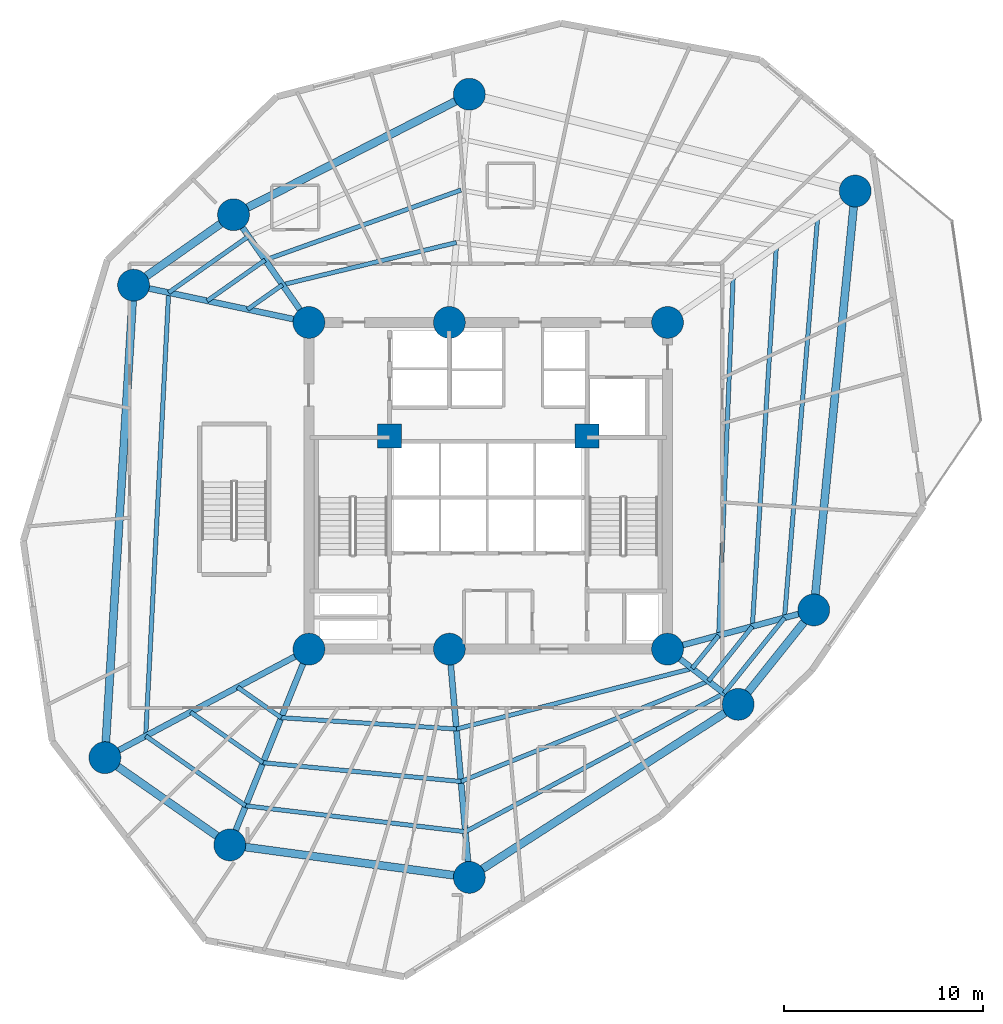
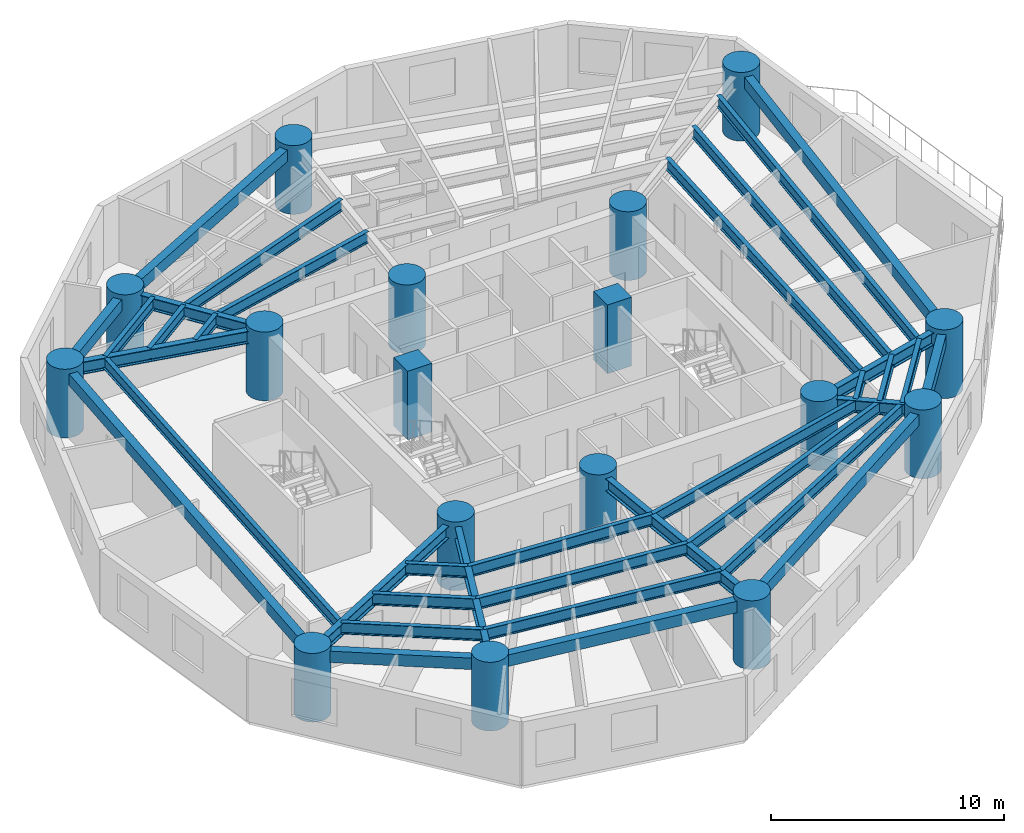
# One storey, part 1 of 9: 36 beams, 17 columns.
"""IFC4 building model written with IfcOpenShell, lengths in metres."""

from ifc_helpers import new_model, si_unit, direction, frame, origin, origin_with_axes, origin_2d, place, context, subcontext, project, spatial, rectangle, circle, i_section, extrude, source, transform, mapped, material, material_profile, profile_set, type_object, element, save


model = new_model("IFC4")

# Units and contexts
model_context = context("Model", 3, precision=1e-05, world=origin(), true_north=direction((0.0, 1.0)))
body_context = subcontext(model_context, "Body", "Model", "MODEL_VIEW")
ifc_project = project(units=[si_unit("LENGTHUNIT", "METRE"), si_unit("AREAUNIT", "SQUARE_METRE"), si_unit("VOLUMEUNIT", "CUBIC_METRE"), si_unit("PLANEANGLEUNIT", "RADIAN"), si_unit("MASSUNIT", "GRAM", prefix="KILO")], contexts=[model_context])

# Site, building, storey
site_placement = place(None, origin())
site = spatial("IfcSite", under=ifc_project, at=site_placement, CompositionType="ELEMENT")
building_placement = place(site_placement, origin())
building = spatial("IfcBuilding", under=site, at=building_placement, Name="Karkom Vertical University and Central Library", CompositionType="ELEMENT")
storey_placement = place(building_placement, frame((0.0, 0.0, 69.699951171875)))
storey = spatial("IfcBuildingStorey", under=building, at=storey_placement, Name="L18", CompositionType="ELEMENT", Elevation=69.699951171875)

# Columns
ifc_material_1 = material(Name="Concrete C50/60", Category="concrete")
ifc_material_profile_1 = material_profile(ifc_material_1, circle(Radius=0.800048828125, at=origin_2d()), Name="CFT-D1600")
ifc_profile_set_1 = profile_set([ifc_material_profile_1], Name="Concrete C50/60")
column_type_1 = type_object("IfcColumnType", Name="STR-COL-C-SC2", PredefinedType="COLUMN", material=ifc_profile_set_1)
shared_shape_1 = source(origin_with_axes(), body_context, "Body", "SweptSolid", [
    extrude(circle(Radius=0.800048828125, at=origin_2d()), origin(), (0.0, 0.0, 1.0), 3.60009765625),
])
for number, where, z_axis, x_axis, name in (
    (1, (19.5, 18.300048828125, 0.0), (0.0, 0.0, 1.0), (1.0, 0.0, 0.0), "Level 18 Spine Mega-Column SC-1"),
    (2, (26.550048828125, 18.300048828125, 0.0), (0.0, 0.0, 1.0), (1.0, 0.0, 0.0), "Level 18 Spine Mega-Column SC-2"),
    (3, (37.5, 18.300048828125, 0.0), (0.0, 0.0, 1.0), (1.0, 0.0, 0.0), "Level 18 Spine Mega-Column SC-3"),
    (4, (19.5, 34.699951171875, 0.0), (0.0, 0.0, 1.0), (1.0, 0.0, 0.0), "Level 18 Spine Mega-Column SC-4"),
    (5, (26.550048828125, 34.699951171875, 0.0), (0.0, 0.0, 1.0), (1.0, 0.0, 0.0), "Level 18 Spine Mega-Column SC-5"),
    (6, (37.5, 34.699951171875, 0.0), (0.0, 0.0, 1.0), (1.0, 0.0, 0.0), "Level 18 Spine Mega-Column SC-6"),
    (7, (44.841064453125, 20.26708984375, 0.0), (0.0, 0.0, 1.0), (1.0, 0.0, 0.0), "Level 18 Perimeter Mega-Column Z1-PC1"),
    (8, (46.919921875, 41.2958984375, 0.0), (0.0, 0.0, 1.0), (1.0, 0.0, 0.0), "Level 18 Perimeter Mega-Column Z1-PC2"),
    (9, (27.552001953125, 46.156005859375, 0.0), (0.0, 0.0, 1.0), (1.0, 0.0, 0.0), "Level 18 Perimeter Mega-Column Z1-PC3"),
    (10, (15.714111328125, 40.10595703125, 0.0), (0.0, 0.0, 1.0), (1.0, 0.0, 0.0), "Level 18 Perimeter Mega-Column Z1-PC4"),
    (11, (10.697021484375, 36.571044921875, 0.0), (0.0, 0.0, 1.0), (1.0, 0.0, 0.0), "Level 18 Perimeter Mega-Column Z1-PC5"),
    (12, (9.258056640625, 12.85400390625, 0.0), (0.0, 0.0, 1.0), (1.0, 0.0, 0.0), "Level 18 Perimeter Mega-Column Z1-PC6"),
    (13, (15.529052734375, 8.471923828125, 0.0), (0.0, 0.0, 1.0), (1.0, 0.0, 0.0), "Level 18 Perimeter Mega-Column Z1-PC7"),
    (14, (27.552001953125, 6.843994140625, 0.0), (0.0, 0.0, 1.0), (1.0, 0.0, 0.0), "Level 18 Perimeter Mega-Column Z1-PC8"),
    (15, (41.0458984375, 15.530029296875, 0.0), (0.0, 0.0, 1.0), (1.0, 0.0, 0.0), "Level 18 Perimeter Mega-Column Z1-PC9"),
):
    element("IfcColumn", number, at=place(storey_placement, frame(where, z_axis=z_axis, x_axis=x_axis)), inside=storey, type_object=column_type_1, Name=name, PredefinedType="COLUMN", context=body_context, shape_type="MappedRepresentation", body=[
        mapped(shared_shape_1, transform((0.0, 0.0, 0.0), scale=1.0)),
    ])
ifc_material_profile_2 = material_profile(ifc_material_1, rectangle(XDim=1.199951171875, YDim=1.199951171875, at=origin_2d()), Name="RC-1200x1200")
ifc_profile_set_2 = profile_set([ifc_material_profile_2], Name="Concrete C50/60")
column_type_2 = type_object("IfcColumnType", Name="STR-COL-C-CC1", PredefinedType="COLUMN", material=ifc_profile_set_2)
shared_shape_2 = source(origin_with_axes(), body_context, "Body", "SweptSolid", [
    extrude(rectangle(XDim=1.199951171875, YDim=1.199951171875, at=origin_2d()), origin(), (0.0, 0.0, 1.0), 3.60009765625),
])
for number, where, z_axis, x_axis, name in (
    (16, (23.550048828125, 29.0, 0.0), (0.0, 0.0, 1.0), (1.0, 0.0, 0.0), "Level 18 Core Node Column CC-1"),
    (17, (33.449951171875, 29.0, 0.0), (0.0, 0.0, 1.0), (1.0, 0.0, 0.0), "Level 18 Core Node Column CC-2"),
):
    element("IfcColumn", number, at=place(storey_placement, frame(where, z_axis=z_axis, x_axis=x_axis)), inside=storey, type_object=column_type_2, Name=name, PredefinedType="COLUMN", context=body_context, shape_type="MappedRepresentation", body=[
        mapped(shared_shape_2, transform((0.0, 0.0, 0.0), scale=1.0)),
    ])

# Beams
ifc_material_2 = material(Name="Steel S355", Category="steel")
ifc_material_profile_3 = material_profile(ifc_material_2, i_section(OverallWidth=0.300048828125, OverallDepth=0.64990234375, WebThickness=0.01611328125, FlangeThickness=0.031005859375, FilletRadius=0.027099609375, at=origin_2d()), Name="HE 650 B")
ifc_profile_set_3 = profile_set([ifc_material_profile_3], Name="Steel S355")
beam_type_1 = type_object("IfcBeamType", Name="STR-BM-SB-HE650", PredefinedType="USERDEFINED", material=ifc_profile_set_3)
shared_shape_3 = source(origin_with_axes(), body_context, "Body", "SweptSolid", [
    extrude(i_section(OverallWidth=0.300048828125, OverallDepth=0.64990234375, WebThickness=0.01611328125, FlangeThickness=0.031005859375, FilletRadius=0.027099609375, at=origin_2d()), origin(), (0.0, 0.0, 1.0), 7.60009765625),
])
beam_1_placement = place(storey_placement, frame((37.5, 18.300048828125, 3.025146484375), z_axis=(0.965925539322, 0.258820116077, 0.0), x_axis=(-0.258820116077, 0.965925539322, 0.0)))
element("IfcBeam", 18, at=beam_1_placement, inside=storey, type_object=beam_type_1, Name="Level 18 Radial Frame Girder 01", ObjectType="GIRDER", PredefinedType="USERDEFINED", context=body_context, shape_type="MappedRepresentation", body=[
    mapped(shared_shape_3, transform((0.0, 0.0, 0.0), scale=1.0)),
])
shared_shape_4 = source(origin_with_axes(), body_context, "Body", "SweptSolid", [
    extrude(i_section(OverallWidth=0.300048828125, OverallDepth=0.64990234375, WebThickness=0.01611328125, FlangeThickness=0.031005859375, FilletRadius=0.027099609375, at=origin_2d()), origin(), (0.0, 0.0, 1.0), 11.499755859375),
])
beam_2_placement = place(storey_placement, frame((26.550048828125, 18.300048828125, 3.025146484375), z_axis=(0.087127973109, -0.99619712723, 0.0), x_axis=(0.99619712723, 0.087127973109, 0.0)))
element("IfcBeam", 19, at=beam_2_placement, inside=storey, type_object=beam_type_1, Name="Level 18 Radial Frame Girder 08", ObjectType="GIRDER", PredefinedType="USERDEFINED", context=body_context, shape_type="MappedRepresentation", body=[
    mapped(shared_shape_4, transform((0.0, 0.0, 0.0), scale=1.0)),
])
shared_shape_5 = source(origin_with_axes(), body_context, "Body", "SweptSolid", [
    extrude(i_section(OverallWidth=0.300048828125, OverallDepth=0.64990234375, WebThickness=0.01611328125, FlangeThickness=0.031005859375, FilletRadius=0.027099609375, at=origin_2d()), origin(), (0.0, 0.0, 1.0), 6.599853515625),
])
beam_3_placement = place(storey_placement, frame((19.5, 34.699951171875, 3.025146484375), z_axis=(-0.573633636671, 0.819111989218, 0.0), x_axis=(-0.819111989218, -0.573633636671, 0.0)))
element("IfcBeam", 20, at=beam_3_placement, inside=storey, type_object=beam_type_1, Name="Level 18 Radial Frame Girder 04", ObjectType="GIRDER", PredefinedType="USERDEFINED", context=body_context, shape_type="MappedRepresentation", body=[
    mapped(shared_shape_5, transform((0.0, 0.0, 0.0), scale=1.0)),
])
shared_shape_6 = source(origin_with_axes(), body_context, "Body", "SweptSolid", [
    extrude(i_section(OverallWidth=0.300048828125, OverallDepth=0.64990234375, WebThickness=0.01611328125, FlangeThickness=0.031005859375, FilletRadius=0.027099609375, at=origin_2d()), origin(), (0.0, 0.0, 1.0), 8.999755859375),
])
beam_4_placement = place(storey_placement, frame((19.5, 34.699951171875, 3.025146484375), z_axis=(-0.978148438993, 0.207907747079, 0.0), x_axis=(-0.207907747079, -0.978148438993, 0.0)))
element("IfcBeam", 21, at=beam_4_placement, inside=storey, type_object=beam_type_1, Name="Level 18 Radial Frame Girder 05", ObjectType="GIRDER", PredefinedType="USERDEFINED", context=body_context, shape_type="MappedRepresentation", body=[
    mapped(shared_shape_6, transform((0.0, 0.0, 0.0), scale=1.0)),
])
shared_shape_7 = source(origin_with_axes(), body_context, "Body", "SweptSolid", [
    extrude(i_section(OverallWidth=0.300048828125, OverallDepth=0.64990234375, WebThickness=0.01611328125, FlangeThickness=0.031005859375, FilletRadius=0.027099609375, at=origin_2d()), origin(), (0.0, 0.0, 1.0), 11.599853515625),
])
beam_5_placement = place(storey_placement, frame((19.5, 18.300048828125, 3.025146484375), z_axis=(-0.882936620635, -0.469492197957, 0.0), x_axis=(0.469492197957, -0.882936620635, 0.0)))
element("IfcBeam", 22, at=beam_5_placement, inside=storey, type_object=beam_type_1, Name="Level 18 Radial Frame Girder 06", ObjectType="GIRDER", PredefinedType="USERDEFINED", context=body_context, shape_type="MappedRepresentation", body=[
    mapped(shared_shape_7, transform((0.0, 0.0, 0.0), scale=1.0)),
])
shared_shape_8 = source(origin_with_axes(), body_context, "Body", "SweptSolid", [
    extrude(i_section(OverallWidth=0.300048828125, OverallDepth=0.64990234375, WebThickness=0.01611328125, FlangeThickness=0.031005859375, FilletRadius=0.027099609375, at=origin_2d()), origin(), (0.0, 0.0, 1.0), 10.60009765625),
])
beam_6_placement = place(storey_placement, frame((19.5, 18.300048828125, 3.025146484375), z_axis=(-0.374616894394, -0.927179692635, 0.0), x_axis=(0.927179692635, -0.374616894394, 0.0)))
element("IfcBeam", 23, at=beam_6_placement, inside=storey, type_object=beam_type_1, Name="Level 18 Radial Frame Girder 07", ObjectType="GIRDER", PredefinedType="USERDEFINED", context=body_context, shape_type="MappedRepresentation", body=[
    mapped(shared_shape_8, transform((0.0, 0.0, 0.0), scale=1.0)),
])
shared_shape_9 = source(origin_with_axes(), body_context, "Body", "SweptSolid", [
    extrude(i_section(OverallWidth=0.300048828125, OverallDepth=0.64990234375, WebThickness=0.01611328125, FlangeThickness=0.031005859375, FilletRadius=0.027099609375, at=origin_2d()), origin(), (0.0, 0.0, 1.0), 4.49951171875),
])
beam_7_placement = place(storey_placement, frame((37.5, 18.300048828125, 3.025146484375), z_axis=(0.788047405801, -0.615614559778, 0.0), x_axis=(0.615614559778, 0.788047405801, 0.0)))
element("IfcBeam", 24, at=beam_7_placement, inside=storey, type_object=beam_type_1, Name="Level 18 Radial Frame Girder 09", ObjectType="GIRDER", PredefinedType="USERDEFINED", context=body_context, shape_type="MappedRepresentation", body=[
    mapped(shared_shape_9, transform((0.0, 0.0, 0.0), scale=1.0)),
])
ifc_material_3 = material(Name="Precast concrete C45/55", Category="concrete")
ifc_material_profile_4 = material_profile(ifc_material_3, rectangle(XDim=0.39990234375, YDim=0.60009765625, at=origin_2d()), Name="SPB-400x600")
ifc_profile_set_4 = profile_set([ifc_material_profile_4], Name="Precast concrete C45/55")
beam_type_2 = type_object("IfcBeamType", Name="STR-BM-SP-1", PredefinedType="SPANDREL", material=ifc_profile_set_4)
shared_shape_10 = source(origin_with_axes(), body_context, "Body", "SweptSolid", [
    extrude(rectangle(XDim=0.39990234375, YDim=0.60009765625, at=origin_2d()), origin(), (0.0, 0.0, 1.0), 21.13134765625),
])
beam_8_placement = place(storey_placement, frame((44.841064453125, 20.26708984375, 3.050048828125), z_axis=(0.0983780471, 0.995149114379, 0.0), x_axis=(-0.995149114379, 0.0983780471, 0.0)))
element("IfcBeam", 25, at=beam_8_placement, inside=storey, type_object=beam_type_2, Name="Level 18 Perimeter Spandrel Beam 01", PredefinedType="SPANDREL", context=body_context, shape_type="MappedRepresentation", body=[
    mapped(shared_shape_10, transform((0.0, 0.0, 0.0), scale=1.0)),
])
shared_shape_11 = source(origin_with_axes(), body_context, "Body", "SweptSolid", [
    extrude(rectangle(XDim=0.39990234375, YDim=0.60009765625, at=origin_2d()), origin(), (0.0, 0.0, 1.0), 13.29443359375),
])
beam_9_placement = place(storey_placement, frame((27.552001953125, 46.156005859375, 3.050048828125), z_axis=(-0.890447746793, -0.455085497716, 0.0), x_axis=(0.455085497716, -0.890447746793, 0.0)))
element("IfcBeam", 26, at=beam_9_placement, inside=storey, type_object=beam_type_2, Name="Level 18 Perimeter Spandrel Beam 03", PredefinedType="SPANDREL", context=body_context, shape_type="MappedRepresentation", body=[
    mapped(shared_shape_11, transform((0.0, 0.0, 0.0), scale=1.0)),
])
shared_shape_12 = source(origin_with_axes(), body_context, "Body", "SweptSolid", [
    extrude(rectangle(XDim=0.39990234375, YDim=0.60009765625, at=origin_2d()), origin(), (0.0, 0.0, 1.0), 6.13720703125),
])
beam_10_placement = place(storey_placement, frame((15.714111328125, 40.10595703125, 3.050048828125), z_axis=(-0.817471365538, -0.575969240955, 0.0), x_axis=(0.575969240955, -0.817471365538, 0.0)))
element("IfcBeam", 27, at=beam_10_placement, inside=storey, type_object=beam_type_2, Name="Level 18 Perimeter Spandrel Beam 04", PredefinedType="SPANDREL", context=body_context, shape_type="MappedRepresentation", body=[
    mapped(shared_shape_12, transform((0.0, 0.0, 0.0), scale=1.0)),
])
shared_shape_13 = source(origin_with_axes(), body_context, "Body", "SweptSolid", [
    extrude(rectangle(XDim=0.39990234375, YDim=0.60009765625, at=origin_2d()), origin(), (0.0, 0.0, 1.0), 23.7607421875),
])
beam_11_placement = place(storey_placement, frame((10.697021484375, 36.571044921875, 3.050048828125), z_axis=(-0.060560827767, -0.998164508556, 0.0), x_axis=(0.998164508556, -0.060560827767, 0.0)))
element("IfcBeam", 28, at=beam_11_placement, inside=storey, type_object=beam_type_2, Name="Level 18 Perimeter Spandrel Beam 05", PredefinedType="SPANDREL", context=body_context, shape_type="MappedRepresentation", body=[
    mapped(shared_shape_13, transform((0.0, 0.0, 0.0), scale=1.0)),
])
shared_shape_14 = source(origin_with_axes(), body_context, "Body", "SweptSolid", [
    extrude(rectangle(XDim=0.39990234375, YDim=0.60009765625, at=origin_2d()), origin(), (0.0, 0.0, 1.0), 7.650390625),
])
beam_12_placement = place(storey_placement, frame((9.258056640625, 12.85400390625, 3.050048828125), z_axis=(0.819699409527, -0.572793922822, 0.0), x_axis=(0.572793922822, 0.819699409527, 0.0)))
element("IfcBeam", 29, at=beam_12_placement, inside=storey, type_object=beam_type_2, Name="Level 18 Perimeter Spandrel Beam 06", PredefinedType="SPANDREL", context=body_context, shape_type="MappedRepresentation", body=[
    mapped(shared_shape_14, transform((0.0, 0.0, 0.0), scale=1.0)),
])
shared_shape_15 = source(origin_with_axes(), body_context, "Body", "SweptSolid", [
    extrude(rectangle(XDim=0.39990234375, YDim=0.60009765625, at=origin_2d()), origin(), (0.0, 0.0, 1.0), 12.132568359375),
])
beam_13_placement = place(storey_placement, frame((15.529052734375, 8.471923828125, 3.050048828125), z_axis=(0.990957319008, -0.134177464223, 0.0), x_axis=(0.134177464223, 0.990957319008, 0.0)))
element("IfcBeam", 30, at=beam_13_placement, inside=storey, type_object=beam_type_2, Name="Level 18 Perimeter Spandrel Beam 07", PredefinedType="SPANDREL", context=body_context, shape_type="MappedRepresentation", body=[
    mapped(shared_shape_15, transform((0.0, 0.0, 0.0), scale=1.0)),
])
shared_shape_16 = source(origin_with_axes(), body_context, "Body", "SweptSolid", [
    extrude(rectangle(XDim=0.39990234375, YDim=0.60009765625, at=origin_2d()), origin(), (0.0, 0.0, 1.0), 16.0478515625),
])
beam_14_placement = place(storey_placement, frame((27.552001953125, 6.843994140625, 3.050048828125), z_axis=(0.84085555045, 0.541259589548, 0.0), x_axis=(-0.541259589548, 0.84085555045, 0.0)))
element("IfcBeam", 31, at=beam_14_placement, inside=storey, type_object=beam_type_2, Name="Level 18 Perimeter Spandrel Beam 08", PredefinedType="SPANDREL", context=body_context, shape_type="MappedRepresentation", body=[
    mapped(shared_shape_16, transform((0.0, 0.0, 0.0), scale=1.0)),
])
shared_shape_17 = source(origin_with_axes(), body_context, "Body", "SweptSolid", [
    extrude(rectangle(XDim=0.39990234375, YDim=0.60009765625, at=origin_2d()), origin(), (0.0, 0.0, 1.0), 6.06982421875),
])
beam_15_placement = place(storey_placement, frame((41.0458984375, 15.530029296875, 3.050048828125), z_axis=(0.625249167344, 0.780425190992, 0.0), x_axis=(-0.780425190992, 0.625249167344, 0.0)))
element("IfcBeam", 32, at=beam_15_placement, inside=storey, type_object=beam_type_2, Name="Level 18 Perimeter Spandrel Beam 09", PredefinedType="SPANDREL", context=body_context, shape_type="MappedRepresentation", body=[
    mapped(shared_shape_17, transform((0.0, 0.0, 0.0), scale=1.0)),
])
ifc_material_profile_5 = material_profile(ifc_material_2, i_section(OverallWidth=0.219970703125, OverallDepth=0.60009765625, WebThickness=0.011962890625, FlangeThickness=0.01904296875, FilletRadius=0.02392578125, at=origin_2d()), Name="IPE 600")
ifc_profile_set_5 = profile_set([ifc_material_profile_5], Name="Steel S355")
beam_type_3 = type_object("IfcBeamType", Name="STR-BM-SB-IPE600", PredefinedType="BEAM", material=ifc_profile_set_5)
shared_shape_18 = source(origin_with_axes(), body_context, "Body", "SweptSolid", [
    extrude(i_section(OverallWidth=0.219970703125, OverallDepth=0.60009765625, WebThickness=0.011962890625, FlangeThickness=0.01904296875, FilletRadius=0.02392578125, at=origin_2d()), origin(), (0.0, 0.0, 1.0), 18.03466796875),
])
beam_16_placement = place(storey_placement, frame((40.0693359375, 18.988525390625, 3.050048828125), z_axis=(0.04035458262, 0.999185422062, 0.0), x_axis=(-0.999185422062, 0.04035458262, 0.0)))
element("IfcBeam", 33, at=beam_16_placement, inside=storey, type_object=beam_type_3, Name="Level 18 Secondary Composite Floor Beam 1.01", PredefinedType="BEAM", context=body_context, shape_type="MappedRepresentation", body=[
    mapped(shared_shape_18, transform((0.0, 0.0, 0.0), scale=1.0)),
])
shared_shape_19 = source(origin_with_axes(), body_context, "Body", "SweptSolid", [
    extrude(i_section(OverallWidth=0.219970703125, OverallDepth=0.60009765625, WebThickness=0.011962890625, FlangeThickness=0.01904296875, FilletRadius=0.02392578125, at=origin_2d()), origin(), (0.0, 0.0, 1.0), 8.97900390625),
])
beam_17_placement = place(storey_placement, frame((26.900634765625, 38.709716796875, 3.050048828125), z_axis=(-0.971790837509, -0.235844372697, 0.0), x_axis=(0.235844372697, -0.971790837509, 0.0)))
element("IfcBeam", 34, at=beam_17_placement, inside=storey, type_object=beam_type_3, Name="Level 18 Secondary Composite Floor Beam 1.03", PredefinedType="BEAM", context=body_context, shape_type="MappedRepresentation", body=[
    mapped(shared_shape_19, transform((0.0, 0.0, 0.0), scale=1.0)),
])
shared_shape_20 = source(origin_with_axes(), body_context, "Body", "SweptSolid", [
    extrude(i_section(OverallWidth=0.219970703125, OverallDepth=0.60009765625, WebThickness=0.011962890625, FlangeThickness=0.01904296875, FilletRadius=0.02392578125, at=origin_2d()), origin(), (0.0, 0.0, 1.0), 2.14794921875),
])
beam_18_placement = place(storey_placement, frame((18.1748046875, 36.592041015625, 3.050048828125), z_axis=(-0.817433780971, -0.576022580918, 0.0), x_axis=(0.576022580918, -0.817433780971, 0.0)))
element("IfcBeam", 35, at=beam_18_placement, inside=storey, type_object=beam_type_3, Name="Level 18 Secondary Composite Floor Beam 1.04", PredefinedType="BEAM", context=body_context, shape_type="MappedRepresentation", body=[
    mapped(shared_shape_20, transform((0.0, 0.0, 0.0), scale=1.0)),
])
shared_shape_21 = source(origin_with_axes(), body_context, "Body", "SweptSolid", [
    extrude(i_section(OverallWidth=0.219970703125, OverallDepth=0.60009765625, WebThickness=0.011962890625, FlangeThickness=0.01904296875, FilletRadius=0.02392578125, at=origin_2d()), origin(), (0.0, 0.0, 1.0), 2.677490234375),
])
beam_19_placement = place(storey_placement, frame((15.915283203125, 16.393798828125, 3.050048828125), z_axis=(0.819702839548, -0.572789014243, 0.0), x_axis=(0.572789014243, 0.819702839548, 0.0)))
element("IfcBeam", 36, at=beam_19_placement, inside=storey, type_object=beam_type_3, Name="Level 18 Secondary Composite Floor Beam 1.06", PredefinedType="BEAM", context=body_context, shape_type="MappedRepresentation", body=[
    mapped(shared_shape_21, transform((0.0, 0.0, 0.0), scale=1.0)),
])
shared_shape_22 = source(origin_with_axes(), body_context, "Body", "SweptSolid", [
    extrude(i_section(OverallWidth=0.219970703125, OverallDepth=0.60009765625, WebThickness=0.011962890625, FlangeThickness=0.01904296875, FilletRadius=0.02392578125, at=origin_2d()), origin(), (0.0, 0.0, 1.0), 8.80908203125),
])
beam_20_placement = place(storey_placement, frame((18.110107421875, 14.860107421875, 3.050048828125), z_axis=(0.997905617906, -0.064686766433, 0.0), x_axis=(0.064686766433, 0.997905617906, 0.0)))
element("IfcBeam", 37, at=beam_20_placement, inside=storey, type_object=beam_type_3, Name="Level 18 Secondary Composite Floor Beam 1.07", PredefinedType="BEAM", context=body_context, shape_type="MappedRepresentation", body=[
    mapped(shared_shape_22, transform((0.0, 0.0, 0.0), scale=1.0)),
])
shared_shape_23 = source(origin_with_axes(), body_context, "Body", "SweptSolid", [
    extrude(i_section(OverallWidth=0.219970703125, OverallDepth=0.60009765625, WebThickness=0.011962890625, FlangeThickness=0.01904296875, FilletRadius=0.02392578125, at=origin_2d()), origin(), (0.0, 0.0, 1.0), 12.224609375),
])
beam_21_placement = place(storey_placement, frame((26.900634765625, 14.290283203125, 3.050048828125), z_axis=(0.968580403264, 0.248700628092, 0.0), x_axis=(-0.248700628092, 0.968580403264, 0.0)))
element("IfcBeam", 38, at=beam_21_placement, inside=storey, type_object=beam_type_3, Name="Level 18 Secondary Composite Floor Beam 1.08", PredefinedType="BEAM", context=body_context, shape_type="MappedRepresentation", body=[
    mapped(shared_shape_23, transform((0.0, 0.0, 0.0), scale=1.0)),
])
shared_shape_24 = source(origin_with_axes(), body_context, "Body", "SweptSolid", [
    extrude(i_section(OverallWidth=0.219970703125, OverallDepth=0.60009765625, WebThickness=0.011962890625, FlangeThickness=0.01904296875, FilletRadius=0.02392578125, at=origin_2d()), origin(), (0.0, 0.0, 1.0), 2.124267578125),
])
beam_22_placement = place(storey_placement, frame((38.7412109375, 17.33056640625, 3.050048828125), z_axis=(0.625199471959, 0.780465002587, 0.0), x_axis=(-0.780465002587, 0.625199471959, 0.0)))
element("IfcBeam", 39, at=beam_22_placement, inside=storey, type_object=beam_type_3, Name="Level 18 Secondary Composite Floor Beam 1.09", PredefinedType="BEAM", context=body_context, shape_type="MappedRepresentation", body=[
    mapped(shared_shape_24, transform((0.0, 0.0, 0.0), scale=1.0)),
])
shared_shape_25 = source(origin_with_axes(), body_context, "Body", "SweptSolid", [
    extrude(i_section(OverallWidth=0.219970703125, OverallDepth=0.60009765625, WebThickness=0.011962890625, FlangeThickness=0.01904296875, FilletRadius=0.02392578125, at=origin_2d()), origin(), (0.0, 0.0, 1.0), 19.122802734375),
])
beam_23_placement = place(storey_placement, frame((41.7578125, 19.44091796875, 3.050048828125), z_axis=(0.063056264597, 0.998009973645, 0.0), x_axis=(-0.998009973645, 0.063056264597, 0.0)))
element("IfcBeam", 40, at=beam_23_placement, inside=storey, type_object=beam_type_3, Name="Level 18 Secondary Composite Floor Beam 2.01", PredefinedType="BEAM", context=body_context, shape_type="MappedRepresentation", body=[
    mapped(shared_shape_25, transform((0.0, 0.0, 0.0), scale=1.0)),
])
shared_shape_26 = source(origin_with_axes(), body_context, "Body", "SweptSolid", [
    extrude(i_section(OverallWidth=0.219970703125, OverallDepth=0.60009765625, WebThickness=0.011962890625, FlangeThickness=0.01904296875, FilletRadius=0.02392578125, at=origin_2d()), origin(), (0.0, 0.0, 1.0), 10.4345703125),
])
beam_24_placement = place(storey_placement, frame((27.131103515625, 41.344482421875, 3.050048828125), z_axis=(-0.941759378798, -0.336287484819, 0.0), x_axis=(0.336287484819, -0.941759378798, 0.0)))
element("IfcBeam", 41, at=beam_24_placement, inside=storey, type_object=beam_type_3, Name="Level 18 Secondary Composite Floor Beam 2.03", PredefinedType="BEAM", context=body_context, shape_type="MappedRepresentation", body=[
    mapped(shared_shape_26, transform((0.0, 0.0, 0.0), scale=1.0)),
])
shared_shape_27 = source(origin_with_axes(), body_context, "Body", "SweptSolid", [
    extrude(i_section(OverallWidth=0.219970703125, OverallDepth=0.60009765625, WebThickness=0.011962890625, FlangeThickness=0.01904296875, FilletRadius=0.02392578125, at=origin_2d()), origin(), (0.0, 0.0, 1.0), 3.5595703125),
])
beam_25_placement = place(storey_placement, frame((17.30419921875, 37.83544921875, 3.050048828125), z_axis=(-0.817465552849, -0.575977490798, 0.0), x_axis=(0.575977490798, -0.817465552849, 0.0)))
element("IfcBeam", 42, at=beam_25_placement, inside=storey, type_object=beam_type_3, Name="Level 18 Secondary Composite Floor Beam 2.04", PredefinedType="BEAM", context=body_context, shape_type="MappedRepresentation", body=[
    mapped(shared_shape_27, transform((0.0, 0.0, 0.0), scale=1.0)),
])
shared_shape_28 = source(origin_with_axes(), body_context, "Body", "SweptSolid", [
    extrude(i_section(OverallWidth=0.219970703125, OverallDepth=0.60009765625, WebThickness=0.011962890625, FlangeThickness=0.01904296875, FilletRadius=0.02392578125, at=origin_2d()), origin(), (0.0, 0.0, 1.0), 4.437255859375),
])
beam_26_placement = place(storey_placement, frame((13.5595703125, 15.141357421875, 3.050048828125), z_axis=(0.819712425733, -0.572775295468, 0.0), x_axis=(0.572775295468, 0.819712425733, 0.0)))
element("IfcBeam", 43, at=beam_26_placement, inside=storey, type_object=beam_type_3, Name="Level 18 Secondary Composite Floor Beam 2.06", PredefinedType="BEAM", context=body_context, shape_type="MappedRepresentation", body=[
    mapped(shared_shape_28, transform((0.0, 0.0, 0.0), scale=1.0)),
])
shared_shape_29 = source(origin_with_axes(), body_context, "Body", "SweptSolid", [
    extrude(i_section(OverallWidth=0.219970703125, OverallDepth=0.60009765625, WebThickness=0.011962890625, FlangeThickness=0.01904296875, FilletRadius=0.02392578125, at=origin_2d()), origin(), (0.0, 0.0, 1.0), 9.97900390625),
])
beam_27_placement = place(storey_placement, frame((17.19677734375, 12.599853515625, 3.050048828125), z_axis=(0.995512389915, -0.094631292526, 0.0), x_axis=(0.094631292526, 0.995512389915, 0.0)))
element("IfcBeam", 44, at=beam_27_placement, inside=storey, type_object=beam_type_3, Name="Level 18 Secondary Composite Floor Beam 2.07", PredefinedType="BEAM", context=body_context, shape_type="MappedRepresentation", body=[
    mapped(shared_shape_29, transform((0.0, 0.0, 0.0), scale=1.0)),
])
shared_shape_30 = source(origin_with_axes(), body_context, "Body", "SweptSolid", [
    extrude(i_section(OverallWidth=0.219970703125, OverallDepth=0.60009765625, WebThickness=0.011962890625, FlangeThickness=0.01904296875, FilletRadius=0.02392578125, at=origin_2d()), origin(), (0.0, 0.0, 1.0), 13.407958984375),
])
beam_28_placement = place(storey_placement, frame((27.131103515625, 11.655517578125, 3.050048828125), z_axis=(0.926727273371, 0.375734694685, 0.0), x_axis=(-0.375734694685, 0.926727273371, 0.0)))
element("IfcBeam", 45, at=beam_28_placement, inside=storey, type_object=beam_type_3, Name="Level 18 Secondary Composite Floor Beam 2.08", PredefinedType="BEAM", context=body_context, shape_type="MappedRepresentation", body=[
    mapped(shared_shape_30, transform((0.0, 0.0, 0.0), scale=1.0)),
])
shared_shape_31 = source(origin_with_axes(), body_context, "Body", "SweptSolid", [
    extrude(i_section(OverallWidth=0.219970703125, OverallDepth=0.60009765625, WebThickness=0.011962890625, FlangeThickness=0.01904296875, FilletRadius=0.02392578125, at=origin_2d()), origin(), (0.0, 0.0, 1.0), 3.5205078125),
])
beam_29_placement = place(storey_placement, frame((39.556640625, 16.693359375, 3.050048828125), z_axis=(0.62523614548, 0.780435623473, 0.0), x_axis=(-0.780435623473, 0.62523614548, 0.0)))
element("IfcBeam", 46, at=beam_29_placement, inside=storey, type_object=beam_type_3, Name="Level 18 Secondary Composite Floor Beam 2.09", PredefinedType="BEAM", context=body_context, shape_type="MappedRepresentation", body=[
    mapped(shared_shape_31, transform((0.0, 0.0, 0.0), scale=1.0)),
])
shared_shape_32 = source(origin_with_axes(), body_context, "Body", "SweptSolid", [
    extrude(i_section(OverallWidth=0.219970703125, OverallDepth=0.60009765625, WebThickness=0.011962890625, FlangeThickness=0.01904296875, FilletRadius=0.02392578125, at=origin_2d()), origin(), (0.0, 0.0, 1.0), 20.171875),
])
beam_30_placement = place(storey_placement, frame((43.372802734375, 19.87353515625, 3.050048828125), z_axis=(0.082445490935, 0.996595575459, 0.0), x_axis=(-0.996595575459, 0.082445490935, 0.0)))
element("IfcBeam", 47, at=beam_30_placement, inside=storey, type_object=beam_type_3, Name="Level 18 Secondary Composite Floor Beam 3.01", PredefinedType="BEAM", context=body_context, shape_type="MappedRepresentation", body=[
    mapped(shared_shape_32, transform((0.0, 0.0, 0.0), scale=1.0)),
])
shared_shape_33 = source(origin_with_axes(), body_context, "Body", "SweptSolid", [
    extrude(i_section(OverallWidth=0.219970703125, OverallDepth=0.60009765625, WebThickness=0.011962890625, FlangeThickness=0.01904296875, FilletRadius=0.02392578125, at=origin_2d()), origin(), (0.0, 0.0, 1.0), 4.909912109375),
])
beam_31_placement = place(storey_placement, frame((16.47119140625, 39.02490234375, 3.050048828125), z_axis=(-0.817452635759, -0.575995823153, 0.0), x_axis=(0.575995823153, -0.817452635759, 0.0)))
element("IfcBeam", 48, at=beam_31_placement, inside=storey, type_object=beam_type_3, Name="Level 18 Secondary Composite Floor Beam 3.04", PredefinedType="BEAM", context=body_context, shape_type="MappedRepresentation", body=[
    mapped(shared_shape_33, transform((0.0, 0.0, 0.0), scale=1.0)),
])
shared_shape_34 = source(origin_with_axes(), body_context, "Body", "SweptSolid", [
    extrude(i_section(OverallWidth=0.219970703125, OverallDepth=0.60009765625, WebThickness=0.011962890625, FlangeThickness=0.01904296875, FilletRadius=0.02392578125, at=origin_2d()), origin(), (0.0, 0.0, 1.0), 22.283447265625),
])
beam_32_placement = place(storey_placement, frame((12.45751953125, 36.19677734375, 3.050048828125), z_axis=(-0.051658288147, -0.998664819279, 0.0), x_axis=(0.998664819279, -0.051658288147, 0.0)))
element("IfcBeam", 49, at=beam_32_placement, inside=storey, type_object=beam_type_3, Name="Level 18 Secondary Composite Floor Beam 3.05", PredefinedType="BEAM", context=body_context, shape_type="MappedRepresentation", body=[
    mapped(shared_shape_34, transform((0.0, 0.0, 0.0), scale=1.0)),
])
shared_shape_35 = source(origin_with_axes(), body_context, "Body", "SweptSolid", [
    extrude(i_section(OverallWidth=0.219970703125, OverallDepth=0.60009765625, WebThickness=0.011962890625, FlangeThickness=0.01904296875, FilletRadius=0.02392578125, at=origin_2d()), origin(), (0.0, 0.0, 1.0), 6.120361328125),
])
beam_33_placement = place(storey_placement, frame((11.306396484375, 13.943115234375, 3.050048828125), z_axis=(0.81970577287, -0.572784816422, 0.0), x_axis=(0.572784816422, 0.81970577287, 0.0)))
element("IfcBeam", 50, at=beam_33_placement, inside=storey, type_object=beam_type_3, Name="Level 18 Secondary Composite Floor Beam 3.06", PredefinedType="BEAM", context=body_context, shape_type="MappedRepresentation", body=[
    mapped(shared_shape_35, transform((0.0, 0.0, 0.0), scale=1.0)),
])
shared_shape_36 = source(origin_with_axes(), body_context, "Body", "SweptSolid", [
    extrude(i_section(OverallWidth=0.219970703125, OverallDepth=0.60009765625, WebThickness=0.011962890625, FlangeThickness=0.01904296875, FilletRadius=0.02392578125, at=origin_2d()), origin(), (0.0, 0.0, 1.0), 11.10498046875),
])
beam_34_placement = place(storey_placement, frame((16.3232421875, 10.4375, 3.050048828125), z_axis=(0.993100390447, -0.117267278018, 0.0), x_axis=(0.117267278018, 0.993100390447, 0.0)))
element("IfcBeam", 51, at=beam_34_placement, inside=storey, type_object=beam_type_3, Name="Level 18 Secondary Composite Floor Beam 3.07", PredefinedType="BEAM", context=body_context, shape_type="MappedRepresentation", body=[
    mapped(shared_shape_36, transform((0.0, 0.0, 0.0), scale=1.0)),
])
shared_shape_37 = source(origin_with_axes(), body_context, "Body", "SweptSolid", [
    extrude(i_section(OverallWidth=0.219970703125, OverallDepth=0.60009765625, WebThickness=0.011962890625, FlangeThickness=0.01904296875, FilletRadius=0.02392578125, at=origin_2d()), origin(), (0.0, 0.0, 1.0), 14.727783203125),
])
beam_35_placement = place(storey_placement, frame((27.3515625, 9.13525390625, 3.050048828125), z_axis=(0.881697726656, 0.471814708131, 0.0), x_axis=(-0.471814708131, 0.881697726656, 0.0)))
element("IfcBeam", 52, at=beam_35_placement, inside=storey, type_object=beam_type_3, Name="Level 18 Secondary Composite Floor Beam 3.08", PredefinedType="BEAM", context=body_context, shape_type="MappedRepresentation", body=[
    mapped(shared_shape_37, transform((0.0, 0.0, 0.0), scale=1.0)),
])
shared_shape_38 = source(origin_with_axes(), body_context, "Body", "SweptSolid", [
    extrude(i_section(OverallWidth=0.219970703125, OverallDepth=0.60009765625, WebThickness=0.011962890625, FlangeThickness=0.01904296875, FilletRadius=0.02392578125, at=origin_2d()), origin(), (0.0, 0.0, 1.0), 4.855712890625),
])
beam_36_placement = place(storey_placement, frame((40.3369140625, 16.083984375, 3.050048828125), z_axis=(0.62522835738, 0.780441862747, 0.0), x_axis=(-0.780441862747, 0.62522835738, 0.0)))
element("IfcBeam", 53, at=beam_36_placement, inside=storey, type_object=beam_type_3, Name="Level 18 Secondary Composite Floor Beam 3.09", PredefinedType="BEAM", context=body_context, shape_type="MappedRepresentation", body=[
    mapped(shared_shape_38, transform((0.0, 0.0, 0.0), scale=1.0)),
])

save(model, "model.ifc")
